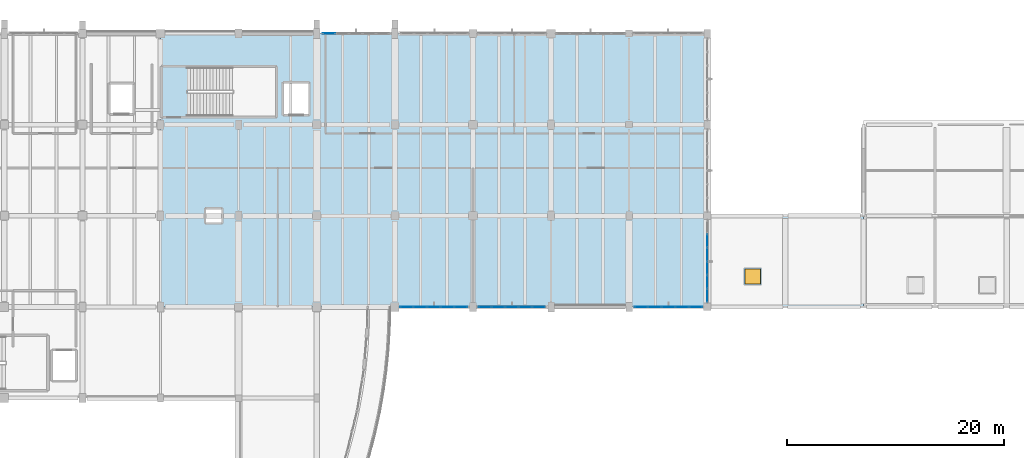
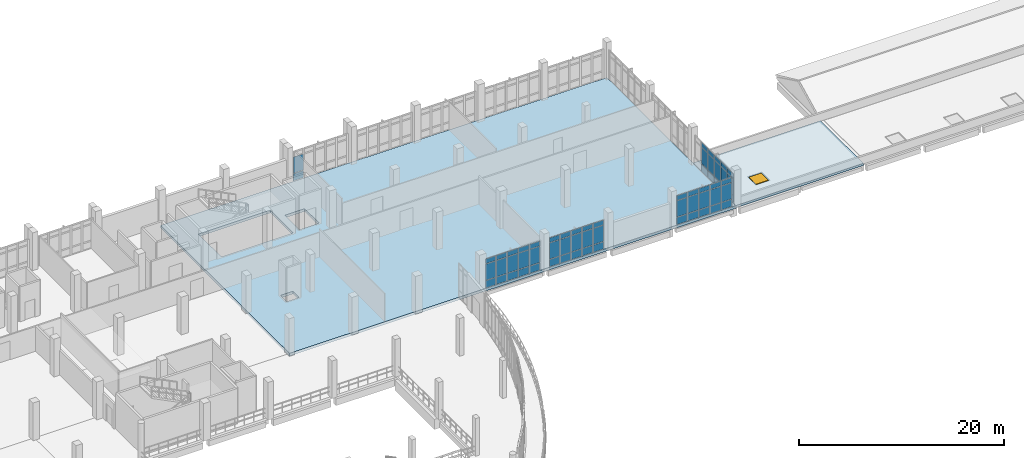
# One storey, part 101 of 124: 62 plates, 2 slabs, 1 window, 1 opening, 5 elements without a shape of their own.
"""IFC4 building model written with IfcOpenShell, lengths in metres."""

import ifcopenshell
import ifcopenshell.guid

model = None  # the IFC model being written
_history = None  # IfcOwnerHistory: only IFC2X3 demands one
_inside = {}  # id of a spatial element -> (the spatial element, [elements in it])
_under = {}  # id of a project, library or spatial element -> (it, [spatial elements below it])
_declared = {}  # id of a project -> (the project, [libraries it declares])
_typed = {}  # id of a type object -> (the type object, [elements of that type])
_made_of = {}  # id of a material, layer set ... -> (it, [elements and type objects made of it])


def new_model(schema):
    """Start an empty IFC model of exactly this schema.

    Asked for "IFC4X3", IfcOpenShell would pick the latest addendum, in which some entities
    have other attributes; the version numbers below select the first issue.
    IFC2X3 requires an IfcOwnerHistory on every rooted entity: one is made here for all.
    """
    global model, _history
    if schema == "IFC4X3":
        model = ifcopenshell.file(schema_version=(4, 3, 0, 0))
    else:
        model = ifcopenshell.file(schema=schema)
    _inside.clear()
    _under.clear()
    _declared.clear()
    _typed.clear()
    _made_of.clear()
    _history = None
    if model.schema == "IFC2X3":
        org = make("IfcOrganization", Name="unknown")
        user = make(
            "IfcPersonAndOrganization",
            ThePerson=make("IfcPerson", FamilyName="unknown"),
            TheOrganization=org,
        )
        app = make(
            "IfcApplication",
            ApplicationDeveloper=org,
            Version="unknown",
            ApplicationFullName="unknown",
            ApplicationIdentifier="unknown",
        )
        _history = make(
            "IfcOwnerHistory",
            OwningUser=user,
            OwningApplication=app,
            ChangeAction="ADDED",
            CreationDate=0,
        )
    return model


def make(cls, **values):
    """One entity of the class cls with the attributes given. An attribute that is None is left unset."""
    return model.create_entity(
        cls, **{name: value for name, value in values.items() if value is not None}
    )


def rooted(cls, **values):
    """An entity with a GlobalId (a new one), such as an element, a storey or a relation."""
    return make(cls, GlobalId=ifcopenshell.guid.new(), OwnerHistory=_history, **values)


def si_unit(unit_type, name, prefix=None):
    """IfcSIUnit, for example si_unit("LENGTHUNIT", "METRE", prefix="MILLI")."""
    return make("IfcSIUnit", UnitType=unit_type, Prefix=prefix, Name=name)


def assignment(units):
    """IfcUnitAssignment: the units of a project."""
    return None if units is None else make("IfcUnitAssignment", Units=units)


def point(xyz):
    """IfcCartesianPoint."""
    return None if xyz is None else make("IfcCartesianPoint", Coordinates=xyz)


def direction(xyz):
    """IfcDirection."""
    return None if xyz is None else make("IfcDirection", DirectionRatios=xyz)


def frame(location, z_axis=None, x_axis=None):
    """IfcAxis2Placement3D, a coordinate frame: its origin and axes. An axis left out is left unset."""
    return make(
        "IfcAxis2Placement3D",
        Location=point(location),
        Axis=direction(z_axis),
        RefDirection=direction(x_axis),
    )


def frame_2d(location, x_axis=None):
    """IfcAxis2Placement2D, a coordinate frame in the plane: its origin and x axis."""
    return make(
        "IfcAxis2Placement2D", Location=point(location), RefDirection=direction(x_axis)
    )


def origin():
    """The frame at (0, 0, 0) with its axes left unset."""
    return frame((0.0, 0.0, 0.0))


def origin_2d():
    """The frame at (0, 0) in the plane with its x axis left unset."""
    return frame_2d((0.0, 0.0))


def place(relative_to, where):
    """IfcLocalPlacement: puts the frame where relative to a parent placement (None: the world)."""
    return make(
        "IfcLocalPlacement", PlacementRelTo=relative_to, RelativePlacement=where
    )


def context(
    kind, dimensions, precision=None, world=None, true_north=None, identifier=None
):
    """IfcGeometricRepresentationContext, for example the 3D "Model" context."""
    return make(
        "IfcGeometricRepresentationContext",
        ContextIdentifier=identifier,
        ContextType=kind,
        CoordinateSpaceDimension=dimensions,
        Precision=precision,
        WorldCoordinateSystem=world,
        TrueNorth=true_north,
    )


def subcontext(parent, identifier, kind, view, scale=None):
    """IfcGeometricRepresentationSubContext, for example "Body" below "Model"."""
    return make(
        "IfcGeometricRepresentationSubContext",
        ContextIdentifier=identifier,
        ContextType=kind,
        ParentContext=parent,
        TargetScale=scale,
        TargetView=view,
    )


def project(units=None, contexts=None):
    """IfcProject with its units and contexts."""
    return rooted(
        "IfcProject",
        Name="project",
        RepresentationContexts=contexts,
        UnitsInContext=assignment(units),
    )


def spatial(cls, under=None, at=None, **own):
    """A site, building, storey or space (cls), placed at a placement, below another one or the project."""
    s = rooted(cls, ObjectPlacement=at, **own)
    if under is not None:
        _under.setdefault(under.id(), (under, []))[1].append(s)
    return s


def polyline(points):
    """IfcPolyline through the points."""
    return make("IfcPolyline", Points=[point(p) for p in points])


def profile(cls, at=None, kind="AREA", **sizes):
    """A parametric profile (cls). Its sizes go by their IFC names, for example OverallWidth=200.0."""
    return make(cls, ProfileType=kind, Position=at, **sizes)


def rectangle(**sizes):
    """IfcRectangleProfileDef."""
    return profile("IfcRectangleProfileDef", **sizes)


def outline(outer, holes=None, kind="AREA"):
    """IfcArbitraryClosedProfileDef: a profile drawn as a closed curve; with holes, ...WithVoids."""
    if holes is None:
        return make("IfcArbitraryClosedProfileDef", ProfileType=kind, OuterCurve=outer)
    return make(
        "IfcArbitraryProfileDefWithVoids",
        ProfileType=kind,
        OuterCurve=outer,
        InnerCurves=holes,
    )


def extrude(swept, where, along, depth):
    """IfcExtrudedAreaSolid: the profile swept, set in the frame where, extruded along a direction by depth."""
    return make(
        "IfcExtrudedAreaSolid",
        SweptArea=swept,
        Position=where,
        ExtrudedDirection=direction(along),
        Depth=depth,
    )


def shape(context_of_items, identifier, shape_type, items):
    """IfcShapeRepresentation: the items that make up one representation, for example the "Body"."""
    return make(
        "IfcShapeRepresentation",
        ContextOfItems=context_of_items,
        RepresentationIdentifier=identifier,
        RepresentationType=shape_type,
        Items=items,
    )


def material(Name=None, Category=None):
    """IfcMaterial."""
    return make("IfcMaterial", Name=Name, Category=Category)


def layer(
    of_material, thickness, ventilated=None, Name=None, Category=None, Priority=None
):
    """IfcMaterialLayer: one layer of a wall or slab, of a material (None: an air gap)."""
    return make(
        "IfcMaterialLayer",
        Material=of_material,
        LayerThickness=thickness,
        IsVentilated=ventilated,
        Name=Name,
        Category=Category,
        Priority=Priority,
    )


def layer_set(layers, Name=None):
    """IfcMaterialLayerSet."""
    return make("IfcMaterialLayerSet", MaterialLayers=layers, LayerSetName=Name)


def made_of(thing, what):
    """Note that an element or type object is made of a material, layer set ...; save() writes the relation."""
    if what is not None:
        _made_of.setdefault(what.id(), (what, []))[1].append(thing)
    return thing


def type_object(cls, material=None, **own):
    """A type object (cls), such as IfcWallType, which elements share."""
    return made_of(rooted(cls, **own), material)


def element(
    cls,
    number,
    at=None,
    inside=None,
    cuts=None,
    type_object=None,
    material=None,
    context=None,
    identifier="Body",
    shape_type=None,
    held_by="IfcProductDefinitionShape",
    body=None,
    shapes=None,
    **own,
):
    """One element of the class cls, such as IfcWall. Its Tag is "e" and its number.

    at: its placement. inside: the storey or other place that contains it. cuts: it is an
    opening in that element (IfcRelVoidsElement). A single representation is given by context,
    identifier, shape_type and body (its items); several are given by shapes. held_by: the class
    of the entity that holds the representations. save() writes the other relations.
    """
    e = rooted(cls, Tag="e%d" % number, ObjectPlacement=at, **own)
    if body is not None:
        shapes = [shape(context, identifier, shape_type, body)]
    if shapes is not None:
        e.Representation = make(held_by, Representations=shapes)
    if inside is not None:
        _inside.setdefault(inside.id(), (inside, []))[1].append(e)
    if cuts is not None:
        rooted(
            "IfcRelVoidsElement", RelatingBuildingElement=cuts, RelatedOpeningElement=e
        )
    if type_object is not None:
        _typed.setdefault(type_object.id(), (type_object, []))[1].append(e)
    return made_of(e, material)


def fill(opening, filler):
    """IfcRelFillsElement: the door or window that sits in an opening."""
    return rooted(
        "IfcRelFillsElement",
        RelatingOpeningElement=opening,
        RelatedBuildingElement=filler,
    )


def aggregate(whole, parts):
    """IfcRelAggregates: a whole, such as a stair, and the parts it consists of."""
    return rooted("IfcRelAggregates", RelatingObject=whole, RelatedObjects=parts)


def save(model, path):
    """Write the relations noted so far, then the file.

    IfcRelAggregates (storeys below a building ...), IfcRelContainedInSpatialStructure (elements
    in a storey), IfcRelDefinesByType, IfcRelAssociatesMaterial and IfcRelDeclares: one each for
    every whole, place, type object, material and project.
    """
    for whole, parts in _under.values():
        aggregate(whole, parts)
    for where, things in _inside.values():
        rooted(
            "IfcRelContainedInSpatialStructure",
            RelatedElements=things,
            RelatingStructure=where,
        )
    for kind, things in _typed.values():
        rooted("IfcRelDefinesByType", RelatedObjects=things, RelatingType=kind)
    for what, things in _made_of.values():
        rooted("IfcRelAssociatesMaterial", RelatedObjects=things, RelatingMaterial=what)
    for by, libraries in _declared.values():
        rooted("IfcRelDeclares", RelatingContext=by, RelatedDefinitions=libraries)
    model.write(path)


model = new_model("IFC4")

# Units and contexts
model_context = context("Model", 3, precision=1e-05, world=origin(), true_north=direction((0.0, 1.0)))
body_context = subcontext(model_context, "Body", "Model", "MODEL_VIEW")
ifc_project = project(units=[si_unit("LENGTHUNIT", "METRE"), si_unit("AREAUNIT", "SQUARE_METRE"), si_unit("VOLUMEUNIT", "CUBIC_METRE"), si_unit("PLANEANGLEUNIT", "RADIAN"), si_unit("MASSUNIT", "GRAM", prefix="KILO")], contexts=[model_context])

# Site, building, storey
site_placement = place(None, origin())
site = spatial("IfcSite", under=ifc_project, at=site_placement, CompositionType="ELEMENT")
building_placement = place(site_placement, origin())
building = spatial("IfcBuilding", under=site, at=building_placement, Name="Kalluvel Institute of Natural Sciences", CompositionType="ELEMENT")
storey_placement = place(building_placement, frame((0.0, 0.0, 9.89990234375)))
storey = spatial("IfcBuildingStorey", under=building, at=storey_placement, Name="L02", CompositionType="ELEMENT", Elevation=9.89990234375)

# Curtain wall, plates
ifc_material_1 = material(Name="Aluminium AW-6063 T6", Category="aluminium")
curtain_wall_type = type_object("IfcCurtainWallType", Name="CW-WET-45", PredefinedType="USERDEFINED", material=ifc_material_1)
curtain_wall_1_placement = place(storey_placement, origin())
curtain_wall_1 = element("IfcCurtainWall", 1, at=curtain_wall_1_placement, inside=storey, type_object=curtain_wall_type, Name="L02 Gothic lancet curtain wall CWA-L02-X793-Y1280", ObjectType="UNITISED LANCET FACADE", PredefinedType="USERDEFINED")
ifc_material_2 = material(Name="Solar-Control Low-E Laminated Glass", Category="glass")
ifc_layer_1 = layer(ifc_material_2, 0.0400390625)
ifc_layer_set_1 = layer_set([ifc_layer_1], Name="Solar-Control Low-E Laminated Glass")
plate_type = type_object("IfcPlateType", Name="CWP-SPN-40", PredefinedType="CURTAIN_PANEL", material=ifc_layer_set_1)
plate_1_placement = place(storey_placement, frame((79.9375, 128.0, 0.0703125), z_axis=(0.0, 0.0, 1.0), x_axis=(1.0, 0.0, 0.0)))
plate_1 = element("IfcPlate", 2, at=plate_1_placement, type_object=plate_type, Name="CW-01 panel 1.1", PredefinedType="CURTAIN_PANEL", context=body_context, shape_type="SweptSolid", body=[
    extrude(rectangle(XDim=1.135009765625, YDim=0.0400390625, at=origin_2d()), origin(), (0.0, 0.0, 1.0), 0.844970703125),
])
plate_2_placement = place(storey_placement, frame((79.9375, 128.0, 0.9853515625), z_axis=(0.0, 0.0, 1.0), x_axis=(1.0, 0.0, 0.0)))
plate_2 = element("IfcPlate", 3, at=plate_2_placement, type_object=plate_type, Name="CW-01 panel 1.2", PredefinedType="CURTAIN_PANEL", context=body_context, shape_type="SweptSolid", body=[
    extrude(rectangle(XDim=1.135009765625, YDim=0.0400390625, at=origin_2d()), origin(), (0.0, 0.0, 1.0), 1.909912109375),
])
aggregate(curtain_wall_1, [plate_1, plate_2])

curtain_wall_2_placement = place(storey_placement, origin())
curtain_wall_2 = element("IfcCurtainWall", 4, at=curtain_wall_2_placement, inside=storey, type_object=curtain_wall_type, Name="L02 Gothic lancet curtain wall CWA-L02-X864-Y1028", ObjectType="UNITISED LANCET FACADE", PredefinedType="USERDEFINED")
plate_3_placement = place(storey_placement, frame((87.094970703125, 102.800048828125, 0.0703125), z_axis=(0.0, 0.0, 1.0), x_axis=(1.0, 0.0, 0.0)))
plate_3 = element("IfcPlate", 5, at=plate_3_placement, type_object=plate_type, Name="CW-01 panel 1.1", PredefinedType="CURTAIN_PANEL", context=body_context, shape_type="SweptSolid", body=[
    extrude(rectangle(XDim=1.14990234375, YDim=0.0400390625, at=origin_2d()), origin(), (0.0, 0.0, 1.0), 0.844970703125),
])
plate_4_placement = place(storey_placement, frame((87.094970703125, 102.800048828125, 0.9853515625), z_axis=(0.0, 0.0, 1.0), x_axis=(1.0, 0.0, 0.0)))
plate_4 = element("IfcPlate", 6, at=plate_4_placement, type_object=plate_type, Name="CW-01 panel 1.2", PredefinedType="CURTAIN_PANEL", context=body_context, shape_type="SweptSolid", body=[
    extrude(rectangle(XDim=1.14990234375, YDim=0.0400390625, at=origin_2d()), origin(), (0.0, 0.0, 1.0), 1.909912109375),
])
plate_5_placement = place(storey_placement, frame((87.094970703125, 102.800048828125, 2.965087890625), z_axis=(0.0, 0.0, 1.0), x_axis=(1.0, 0.0, 0.0)))
plate_5 = element("IfcPlate", 7, at=plate_5_placement, type_object=plate_type, Name="CW-01 panel 1.3", PredefinedType="CURTAIN_PANEL", context=body_context, shape_type="SweptSolid", body=[
    extrude(rectangle(XDim=1.14990234375, YDim=0.0400390625, at=origin_2d()), origin(), (0.0, 0.0, 1.0), 0.544921875),
])
plate_6_placement = place(storey_placement, frame((88.33251953125, 102.800048828125, 0.0703125), z_axis=(0.0, 0.0, 1.0), x_axis=(1.0, 0.0, 0.0)))
plate_6 = element("IfcPlate", 8, at=plate_6_placement, type_object=plate_type, Name="CW-01 panel 2.1", PredefinedType="CURTAIN_PANEL", context=body_context, shape_type="SweptSolid", body=[
    extrude(rectangle(XDim=1.18505859375, YDim=0.0400390625, at=origin_2d()), origin(), (0.0, 0.0, 1.0), 0.844970703125),
])
plate_7_placement = place(storey_placement, frame((88.33251953125, 102.800048828125, 0.9853515625), z_axis=(0.0, 0.0, 1.0), x_axis=(1.0, 0.0, 0.0)))
plate_7 = element("IfcPlate", 9, at=plate_7_placement, type_object=plate_type, Name="CW-01 panel 2.2", PredefinedType="CURTAIN_PANEL", context=body_context, shape_type="SweptSolid", body=[
    extrude(rectangle(XDim=1.18505859375, YDim=0.0400390625, at=origin_2d()), origin(), (0.0, 0.0, 1.0), 1.909912109375),
])
plate_8_placement = place(storey_placement, frame((88.33251953125, 102.800048828125, 2.965087890625), z_axis=(0.0, 0.0, 1.0), x_axis=(1.0, 0.0, 0.0)))
plate_8 = element("IfcPlate", 10, at=plate_8_placement, type_object=plate_type, Name="CW-01 panel 2.3", PredefinedType="CURTAIN_PANEL", context=body_context, shape_type="SweptSolid", body=[
    extrude(rectangle(XDim=1.18505859375, YDim=0.0400390625, at=origin_2d()), origin(), (0.0, 0.0, 1.0), 0.544921875),
])
plate_9_placement = place(storey_placement, frame((89.58740234375, 102.800048828125, 0.0703125), z_axis=(0.0, 0.0, 1.0), x_axis=(1.0, 0.0, 0.0)))
plate_9 = element("IfcPlate", 11, at=plate_9_placement, type_object=plate_type, Name="CW-01 panel 3.1", PredefinedType="CURTAIN_PANEL", context=body_context, shape_type="SweptSolid", body=[
    extrude(rectangle(XDim=1.18505859375, YDim=0.0400390625, at=origin_2d()), origin(), (0.0, 0.0, 1.0), 0.844970703125),
])
plate_10_placement = place(storey_placement, frame((89.58740234375, 102.800048828125, 0.9853515625), z_axis=(0.0, 0.0, 1.0), x_axis=(1.0, 0.0, 0.0)))
plate_10 = element("IfcPlate", 12, at=plate_10_placement, type_object=plate_type, Name="CW-01 panel 3.2", PredefinedType="CURTAIN_PANEL", context=body_context, shape_type="SweptSolid", body=[
    extrude(rectangle(XDim=1.18505859375, YDim=0.0400390625, at=origin_2d()), origin(), (0.0, 0.0, 1.0), 1.909912109375),
])
plate_11_placement = place(storey_placement, frame((89.58740234375, 102.800048828125, 2.965087890625), z_axis=(0.0, 0.0, 1.0), x_axis=(1.0, 0.0, 0.0)))
plate_11 = element("IfcPlate", 13, at=plate_11_placement, type_object=plate_type, Name="CW-01 panel 3.3", PredefinedType="CURTAIN_PANEL", context=body_context, shape_type="SweptSolid", body=[
    extrude(rectangle(XDim=1.18505859375, YDim=0.0400390625, at=origin_2d()), origin(), (0.0, 0.0, 1.0), 0.544921875),
])
plate_12_placement = place(storey_placement, frame((90.842529296875, 102.800048828125, 0.0703125), z_axis=(0.0, 0.0, 1.0), x_axis=(1.0, 0.0, 0.0)))
plate_12 = element("IfcPlate", 14, at=plate_12_placement, type_object=plate_type, Name="CW-01 panel 4.1", PredefinedType="CURTAIN_PANEL", context=body_context, shape_type="SweptSolid", body=[
    extrude(rectangle(XDim=1.18505859375, YDim=0.0400390625, at=origin_2d()), origin(), (0.0, 0.0, 1.0), 0.844970703125),
])
plate_13_placement = place(storey_placement, frame((90.842529296875, 102.800048828125, 0.9853515625), z_axis=(0.0, 0.0, 1.0), x_axis=(1.0, 0.0, 0.0)))
plate_13 = element("IfcPlate", 15, at=plate_13_placement, type_object=plate_type, Name="CW-01 panel 4.2", PredefinedType="CURTAIN_PANEL", context=body_context, shape_type="SweptSolid", body=[
    extrude(rectangle(XDim=1.18505859375, YDim=0.0400390625, at=origin_2d()), origin(), (0.0, 0.0, 1.0), 1.909912109375),
])
plate_14_placement = place(storey_placement, frame((90.842529296875, 102.800048828125, 2.965087890625), z_axis=(0.0, 0.0, 1.0), x_axis=(1.0, 0.0, 0.0)))
plate_14 = element("IfcPlate", 16, at=plate_14_placement, type_object=plate_type, Name="CW-01 panel 4.3", PredefinedType="CURTAIN_PANEL", context=body_context, shape_type="SweptSolid", body=[
    extrude(rectangle(XDim=1.18505859375, YDim=0.0400390625, at=origin_2d()), origin(), (0.0, 0.0, 1.0), 0.544921875),
])
plate_15_placement = place(storey_placement, frame((92.080078125, 102.800048828125, 0.0703125), z_axis=(0.0, 0.0, 1.0), x_axis=(1.0, 0.0, 0.0)))
plate_15 = element("IfcPlate", 17, at=plate_15_placement, type_object=plate_type, Name="CW-01 panel 5.1", PredefinedType="CURTAIN_PANEL", context=body_context, shape_type="SweptSolid", body=[
    extrude(rectangle(XDim=1.14990234375, YDim=0.0400390625, at=origin_2d()), origin(), (0.0, 0.0, 1.0), 0.844970703125),
])
plate_16_placement = place(storey_placement, frame((92.080078125, 102.800048828125, 0.9853515625), z_axis=(0.0, 0.0, 1.0), x_axis=(1.0, 0.0, 0.0)))
plate_16 = element("IfcPlate", 18, at=plate_16_placement, type_object=plate_type, Name="CW-01 panel 5.2", PredefinedType="CURTAIN_PANEL", context=body_context, shape_type="SweptSolid", body=[
    extrude(rectangle(XDim=1.14990234375, YDim=0.0400390625, at=origin_2d()), origin(), (0.0, 0.0, 1.0), 1.909912109375),
])
plate_17_placement = place(storey_placement, frame((92.080078125, 102.800048828125, 2.965087890625), z_axis=(0.0, 0.0, 1.0), x_axis=(1.0, 0.0, 0.0)))
plate_17 = element("IfcPlate", 19, at=plate_17_placement, type_object=plate_type, Name="CW-01 panel 5.3", PredefinedType="CURTAIN_PANEL", context=body_context, shape_type="SweptSolid", body=[
    extrude(rectangle(XDim=1.14990234375, YDim=0.0400390625, at=origin_2d()), origin(), (0.0, 0.0, 1.0), 0.544921875),
])
aggregate(curtain_wall_2, [plate_3, plate_4, plate_5, plate_6, plate_7, plate_8, plate_9, plate_10, plate_11, plate_12, plate_13, plate_14, plate_15, plate_16, plate_17])

curtain_wall_3_placement = place(storey_placement, origin())
curtain_wall_3 = element("IfcCurtainWall", 20, at=curtain_wall_3_placement, inside=storey, type_object=curtain_wall_type, Name="L02 Gothic lancet curtain wall CWA-L02-X937-Y1028", ObjectType="UNITISED LANCET FACADE", PredefinedType="USERDEFINED")
plate_18_placement = place(storey_placement, frame((94.31494140625, 102.800048828125, 0.0703125), z_axis=(0.0, 0.0, 1.0), x_axis=(1.0, 0.0, 0.0)))
plate_18 = element("IfcPlate", 21, at=plate_18_placement, type_object=plate_type, Name="CW-01 panel 1.1", PredefinedType="CURTAIN_PANEL", context=body_context, shape_type="SweptSolid", body=[
    extrude(rectangle(XDim=1.139892578125, YDim=0.0400390625, at=origin_2d()), origin(), (0.0, 0.0, 1.0), 0.844970703125),
])
plate_19_placement = place(storey_placement, frame((94.31494140625, 102.800048828125, 0.9853515625), z_axis=(0.0, 0.0, 1.0), x_axis=(1.0, 0.0, 0.0)))
plate_19 = element("IfcPlate", 22, at=plate_19_placement, type_object=plate_type, Name="CW-01 panel 1.2", PredefinedType="CURTAIN_PANEL", context=body_context, shape_type="SweptSolid", body=[
    extrude(rectangle(XDim=1.139892578125, YDim=0.0400390625, at=origin_2d()), origin(), (0.0, 0.0, 1.0), 1.909912109375),
])
plate_20_placement = place(storey_placement, frame((94.31494140625, 102.800048828125, 2.965087890625), z_axis=(0.0, 0.0, 1.0), x_axis=(1.0, 0.0, 0.0)))
plate_20 = element("IfcPlate", 23, at=plate_20_placement, type_object=plate_type, Name="CW-01 panel 1.3", PredefinedType="CURTAIN_PANEL", context=body_context, shape_type="SweptSolid", body=[
    extrude(rectangle(XDim=1.139892578125, YDim=0.0400390625, at=origin_2d()), origin(), (0.0, 0.0, 1.0), 0.544921875),
])
plate_21_placement = place(storey_placement, frame((95.54248046875, 102.800048828125, 0.0703125), z_axis=(0.0, 0.0, 1.0), x_axis=(1.0, 0.0, 0.0)))
plate_21 = element("IfcPlate", 24, at=plate_21_placement, type_object=plate_type, Name="CW-01 panel 2.1", PredefinedType="CURTAIN_PANEL", context=body_context, shape_type="SweptSolid", body=[
    extrude(rectangle(XDim=1.175048828125, YDim=0.0400390625, at=origin_2d()), origin(), (0.0, 0.0, 1.0), 0.844970703125),
])
plate_22_placement = place(storey_placement, frame((95.54248046875, 102.800048828125, 0.9853515625), z_axis=(0.0, 0.0, 1.0), x_axis=(1.0, 0.0, 0.0)))
plate_22 = element("IfcPlate", 25, at=plate_22_placement, type_object=plate_type, Name="CW-01 panel 2.2", PredefinedType="CURTAIN_PANEL", context=body_context, shape_type="SweptSolid", body=[
    extrude(rectangle(XDim=1.175048828125, YDim=0.0400390625, at=origin_2d()), origin(), (0.0, 0.0, 1.0), 1.909912109375),
])
plate_23_placement = place(storey_placement, frame((95.54248046875, 102.800048828125, 2.965087890625), z_axis=(0.0, 0.0, 1.0), x_axis=(1.0, 0.0, 0.0)))
plate_23 = element("IfcPlate", 26, at=plate_23_placement, type_object=plate_type, Name="CW-01 panel 2.3", PredefinedType="CURTAIN_PANEL", context=body_context, shape_type="SweptSolid", body=[
    extrude(rectangle(XDim=1.175048828125, YDim=0.0400390625, at=origin_2d()), origin(), (0.0, 0.0, 1.0), 0.544921875),
])
plate_24_placement = place(storey_placement, frame((96.78759765625, 102.800048828125, 0.0703125), z_axis=(0.0, 0.0, 1.0), x_axis=(1.0, 0.0, 0.0)))
plate_24 = element("IfcPlate", 27, at=plate_24_placement, type_object=plate_type, Name="CW-01 panel 3.1", PredefinedType="CURTAIN_PANEL", context=body_context, shape_type="SweptSolid", body=[
    extrude(rectangle(XDim=1.175048828125, YDim=0.0400390625, at=origin_2d()), origin(), (0.0, 0.0, 1.0), 0.844970703125),
])
plate_25_placement = place(storey_placement, frame((96.78759765625, 102.800048828125, 0.9853515625), z_axis=(0.0, 0.0, 1.0), x_axis=(1.0, 0.0, 0.0)))
plate_25 = element("IfcPlate", 28, at=plate_25_placement, type_object=plate_type, Name="CW-01 panel 3.2", PredefinedType="CURTAIN_PANEL", context=body_context, shape_type="SweptSolid", body=[
    extrude(rectangle(XDim=1.175048828125, YDim=0.0400390625, at=origin_2d()), origin(), (0.0, 0.0, 1.0), 1.909912109375),
])
plate_26_placement = place(storey_placement, frame((96.78759765625, 102.800048828125, 2.965087890625), z_axis=(0.0, 0.0, 1.0), x_axis=(1.0, 0.0, 0.0)))
plate_26 = element("IfcPlate", 29, at=plate_26_placement, type_object=plate_type, Name="CW-01 panel 3.3", PredefinedType="CURTAIN_PANEL", context=body_context, shape_type="SweptSolid", body=[
    extrude(rectangle(XDim=1.175048828125, YDim=0.0400390625, at=origin_2d()), origin(), (0.0, 0.0, 1.0), 0.544921875),
])
plate_27_placement = place(storey_placement, frame((98.032470703125, 102.800048828125, 0.0703125), z_axis=(0.0, 0.0, 1.0), x_axis=(1.0, 0.0, 0.0)))
plate_27 = element("IfcPlate", 30, at=plate_27_placement, type_object=plate_type, Name="CW-01 panel 4.1", PredefinedType="CURTAIN_PANEL", context=body_context, shape_type="SweptSolid", body=[
    extrude(rectangle(XDim=1.175048828125, YDim=0.0400390625, at=origin_2d()), origin(), (0.0, 0.0, 1.0), 0.844970703125),
])
plate_28_placement = place(storey_placement, frame((98.032470703125, 102.800048828125, 0.9853515625), z_axis=(0.0, 0.0, 1.0), x_axis=(1.0, 0.0, 0.0)))
plate_28 = element("IfcPlate", 31, at=plate_28_placement, type_object=plate_type, Name="CW-01 panel 4.2", PredefinedType="CURTAIN_PANEL", context=body_context, shape_type="SweptSolid", body=[
    extrude(rectangle(XDim=1.175048828125, YDim=0.0400390625, at=origin_2d()), origin(), (0.0, 0.0, 1.0), 1.909912109375),
])
plate_29_placement = place(storey_placement, frame((98.032470703125, 102.800048828125, 2.965087890625), z_axis=(0.0, 0.0, 1.0), x_axis=(1.0, 0.0, 0.0)))
plate_29 = element("IfcPlate", 32, at=plate_29_placement, type_object=plate_type, Name="CW-01 panel 4.3", PredefinedType="CURTAIN_PANEL", context=body_context, shape_type="SweptSolid", body=[
    extrude(rectangle(XDim=1.175048828125, YDim=0.0400390625, at=origin_2d()), origin(), (0.0, 0.0, 1.0), 0.544921875),
])
plate_30_placement = place(storey_placement, frame((99.260009765625, 102.800048828125, 0.0703125), z_axis=(0.0, 0.0, 1.0), x_axis=(1.0, 0.0, 0.0)))
plate_30 = element("IfcPlate", 33, at=plate_30_placement, type_object=plate_type, Name="CW-01 panel 5.1", PredefinedType="CURTAIN_PANEL", context=body_context, shape_type="SweptSolid", body=[
    extrude(rectangle(XDim=1.139892578125, YDim=0.0400390625, at=origin_2d()), origin(), (0.0, 0.0, 1.0), 0.844970703125),
])
plate_31_placement = place(storey_placement, frame((99.260009765625, 102.800048828125, 0.9853515625), z_axis=(0.0, 0.0, 1.0), x_axis=(1.0, 0.0, 0.0)))
plate_31 = element("IfcPlate", 34, at=plate_31_placement, type_object=plate_type, Name="CW-01 panel 5.2", PredefinedType="CURTAIN_PANEL", context=body_context, shape_type="SweptSolid", body=[
    extrude(rectangle(XDim=1.139892578125, YDim=0.0400390625, at=origin_2d()), origin(), (0.0, 0.0, 1.0), 1.909912109375),
])
plate_32_placement = place(storey_placement, frame((99.260009765625, 102.800048828125, 2.965087890625), z_axis=(0.0, 0.0, 1.0), x_axis=(1.0, 0.0, 0.0)))
plate_32 = element("IfcPlate", 35, at=plate_32_placement, type_object=plate_type, Name="CW-01 panel 5.3", PredefinedType="CURTAIN_PANEL", context=body_context, shape_type="SweptSolid", body=[
    extrude(rectangle(XDim=1.139892578125, YDim=0.0400390625, at=origin_2d()), origin(), (0.0, 0.0, 1.0), 0.544921875),
])
aggregate(curtain_wall_3, [plate_18, plate_19, plate_20, plate_21, plate_22, plate_23, plate_24, plate_25, plate_26, plate_27, plate_28, plate_29, plate_30, plate_31, plate_32])

curtain_wall_4_placement = place(storey_placement, origin())
curtain_wall_4 = element("IfcCurtainWall", 36, at=curtain_wall_4_placement, inside=storey, type_object=curtain_wall_type, Name="L02 Gothic lancet curtain wall CWA-L02-X1080-Y1028", ObjectType="UNITISED LANCET FACADE", PredefinedType="USERDEFINED")
plate_33_placement = place(storey_placement, frame((108.702392578125, 102.800048828125, 0.0703125), z_axis=(0.0, 0.0, 1.0), x_axis=(1.0, 0.0, 0.0)))
plate_33 = element("IfcPlate", 37, at=plate_33_placement, type_object=plate_type, Name="CW-01 panel 1.1", PredefinedType="CURTAIN_PANEL", context=body_context, shape_type="SweptSolid", body=[
    extrude(rectangle(XDim=1.1650390625, YDim=0.0400390625, at=origin_2d()), origin(), (0.0, 0.0, 1.0), 0.844970703125),
])
plate_34_placement = place(storey_placement, frame((108.702392578125, 102.800048828125, 0.9853515625), z_axis=(0.0, 0.0, 1.0), x_axis=(1.0, 0.0, 0.0)))
plate_34 = element("IfcPlate", 38, at=plate_34_placement, type_object=plate_type, Name="CW-01 panel 1.2", PredefinedType="CURTAIN_PANEL", context=body_context, shape_type="SweptSolid", body=[
    extrude(rectangle(XDim=1.1650390625, YDim=0.0400390625, at=origin_2d()), origin(), (0.0, 0.0, 1.0), 1.909912109375),
])
plate_35_placement = place(storey_placement, frame((108.702392578125, 102.800048828125, 2.965087890625), z_axis=(0.0, 0.0, 1.0), x_axis=(1.0, 0.0, 0.0)))
plate_35 = element("IfcPlate", 39, at=plate_35_placement, type_object=plate_type, Name="CW-01 panel 1.3", PredefinedType="CURTAIN_PANEL", context=body_context, shape_type="SweptSolid", body=[
    extrude(rectangle(XDim=1.1650390625, YDim=0.0400390625, at=origin_2d()), origin(), (0.0, 0.0, 1.0), 0.544921875),
])
plate_36_placement = place(storey_placement, frame((109.955078125, 102.800048828125, 0.0703125), z_axis=(0.0, 0.0, 1.0), x_axis=(1.0, 0.0, 0.0)))
plate_36 = element("IfcPlate", 40, at=plate_36_placement, type_object=plate_type, Name="CW-01 panel 2.1", PredefinedType="CURTAIN_PANEL", context=body_context, shape_type="SweptSolid", body=[
    extrude(rectangle(XDim=1.199951171875, YDim=0.0400390625, at=origin_2d()), origin(), (0.0, 0.0, 1.0), 0.844970703125),
])
plate_37_placement = place(storey_placement, frame((109.955078125, 102.800048828125, 0.9853515625), z_axis=(0.0, 0.0, 1.0), x_axis=(1.0, 0.0, 0.0)))
plate_37 = element("IfcPlate", 41, at=plate_37_placement, type_object=plate_type, Name="CW-01 panel 2.2", PredefinedType="CURTAIN_PANEL", context=body_context, shape_type="SweptSolid", body=[
    extrude(rectangle(XDim=1.199951171875, YDim=0.0400390625, at=origin_2d()), origin(), (0.0, 0.0, 1.0), 1.909912109375),
])
plate_38_placement = place(storey_placement, frame((109.955078125, 102.800048828125, 2.965087890625), z_axis=(0.0, 0.0, 1.0), x_axis=(1.0, 0.0, 0.0)))
plate_38 = element("IfcPlate", 42, at=plate_38_placement, type_object=plate_type, Name="CW-01 panel 2.3", PredefinedType="CURTAIN_PANEL", context=body_context, shape_type="SweptSolid", body=[
    extrude(rectangle(XDim=1.199951171875, YDim=0.0400390625, at=origin_2d()), origin(), (0.0, 0.0, 1.0), 0.544921875),
])
plate_39_placement = place(storey_placement, frame((111.22509765625, 102.800048828125, 0.0703125), z_axis=(0.0, 0.0, 1.0), x_axis=(1.0, 0.0, 0.0)))
plate_39 = element("IfcPlate", 43, at=plate_39_placement, type_object=plate_type, Name="CW-01 panel 3.1", PredefinedType="CURTAIN_PANEL", context=body_context, shape_type="SweptSolid", body=[
    extrude(rectangle(XDim=1.199951171875, YDim=0.0400390625, at=origin_2d()), origin(), (0.0, 0.0, 1.0), 0.844970703125),
])
plate_40_placement = place(storey_placement, frame((111.22509765625, 102.800048828125, 0.9853515625), z_axis=(0.0, 0.0, 1.0), x_axis=(1.0, 0.0, 0.0)))
plate_40 = element("IfcPlate", 44, at=plate_40_placement, type_object=plate_type, Name="CW-01 panel 3.2", PredefinedType="CURTAIN_PANEL", context=body_context, shape_type="SweptSolid", body=[
    extrude(rectangle(XDim=1.199951171875, YDim=0.0400390625, at=origin_2d()), origin(), (0.0, 0.0, 1.0), 1.909912109375),
])
plate_41_placement = place(storey_placement, frame((111.22509765625, 102.800048828125, 2.965087890625), z_axis=(0.0, 0.0, 1.0), x_axis=(1.0, 0.0, 0.0)))
plate_41 = element("IfcPlate", 45, at=plate_41_placement, type_object=plate_type, Name="CW-01 panel 3.3", PredefinedType="CURTAIN_PANEL", context=body_context, shape_type="SweptSolid", body=[
    extrude(rectangle(XDim=1.199951171875, YDim=0.0400390625, at=origin_2d()), origin(), (0.0, 0.0, 1.0), 0.544921875),
])
plate_42_placement = place(storey_placement, frame((112.4951171875, 102.800048828125, 0.0703125), z_axis=(0.0, 0.0, 1.0), x_axis=(1.0, 0.0, 0.0)))
plate_42 = element("IfcPlate", 46, at=plate_42_placement, type_object=plate_type, Name="CW-01 panel 4.1", PredefinedType="CURTAIN_PANEL", context=body_context, shape_type="SweptSolid", body=[
    extrude(rectangle(XDim=1.199951171875, YDim=0.0400390625, at=origin_2d()), origin(), (0.0, 0.0, 1.0), 0.844970703125),
])
plate_43_placement = place(storey_placement, frame((112.4951171875, 102.800048828125, 0.9853515625), z_axis=(0.0, 0.0, 1.0), x_axis=(1.0, 0.0, 0.0)))
plate_43 = element("IfcPlate", 47, at=plate_43_placement, type_object=plate_type, Name="CW-01 panel 4.2", PredefinedType="CURTAIN_PANEL", context=body_context, shape_type="SweptSolid", body=[
    extrude(rectangle(XDim=1.199951171875, YDim=0.0400390625, at=origin_2d()), origin(), (0.0, 0.0, 1.0), 1.909912109375),
])
plate_44_placement = place(storey_placement, frame((112.4951171875, 102.800048828125, 2.965087890625), z_axis=(0.0, 0.0, 1.0), x_axis=(1.0, 0.0, 0.0)))
plate_44 = element("IfcPlate", 48, at=plate_44_placement, type_object=plate_type, Name="CW-01 panel 4.3", PredefinedType="CURTAIN_PANEL", context=body_context, shape_type="SweptSolid", body=[
    extrude(rectangle(XDim=1.199951171875, YDim=0.0400390625, at=origin_2d()), origin(), (0.0, 0.0, 1.0), 0.544921875),
])
plate_45_placement = place(storey_placement, frame((113.74755859375, 102.800048828125, 0.0703125), z_axis=(0.0, 0.0, 1.0), x_axis=(1.0, 0.0, 0.0)))
plate_45 = element("IfcPlate", 49, at=plate_45_placement, type_object=plate_type, Name="CW-01 panel 5.1", PredefinedType="CURTAIN_PANEL", context=body_context, shape_type="SweptSolid", body=[
    extrude(rectangle(XDim=1.1650390625, YDim=0.0400390625, at=origin_2d()), origin(), (0.0, 0.0, 1.0), 0.844970703125),
])
plate_46_placement = place(storey_placement, frame((113.74755859375, 102.800048828125, 0.9853515625), z_axis=(0.0, 0.0, 1.0), x_axis=(1.0, 0.0, 0.0)))
plate_46 = element("IfcPlate", 50, at=plate_46_placement, type_object=plate_type, Name="CW-01 panel 5.2", PredefinedType="CURTAIN_PANEL", context=body_context, shape_type="SweptSolid", body=[
    extrude(rectangle(XDim=1.1650390625, YDim=0.0400390625, at=origin_2d()), origin(), (0.0, 0.0, 1.0), 1.909912109375),
])
plate_47_placement = place(storey_placement, frame((113.74755859375, 102.800048828125, 2.965087890625), z_axis=(0.0, 0.0, 1.0), x_axis=(1.0, 0.0, 0.0)))
plate_47 = element("IfcPlate", 51, at=plate_47_placement, type_object=plate_type, Name="CW-01 panel 5.3", PredefinedType="CURTAIN_PANEL", context=body_context, shape_type="SweptSolid", body=[
    extrude(rectangle(XDim=1.1650390625, YDim=0.0400390625, at=origin_2d()), origin(), (0.0, 0.0, 1.0), 0.544921875),
])
aggregate(curtain_wall_4, [plate_33, plate_34, plate_35, plate_36, plate_37, plate_38, plate_39, plate_40, plate_41, plate_42, plate_43, plate_44, plate_45, plate_46, plate_47])

curtain_wall_5_placement = place(storey_placement, origin())
curtain_wall_5 = element("IfcCurtainWall", 52, at=curtain_wall_5_placement, inside=storey, type_object=curtain_wall_type, Name="L02 Gothic lancet curtain wall CWA-L02-X1148-Y1032", ObjectType="UNITISED LANCET FACADE", PredefinedType="USERDEFINED")
plate_48_placement = place(storey_placement, frame((114.800048828125, 103.850830078125, 0.0703125), z_axis=(0.0, 0.0, 1.0), x_axis=(0.0, 1.0, 0.0)))
plate_48 = element("IfcPlate", 53, at=plate_48_placement, type_object=plate_type, Name="CW-01 panel 1.1", PredefinedType="CURTAIN_PANEL", context=body_context, shape_type="SweptSolid", body=[
    extrude(rectangle(XDim=1.16162109375, YDim=0.0400390625, at=origin_2d()), origin(), (0.0, 0.0, 1.0), 0.844970703125),
])
plate_49_placement = place(storey_placement, frame((114.800048828125, 103.850830078125, 0.9853515625), z_axis=(0.0, 0.0, 1.0), x_axis=(0.0, 1.0, 0.0)))
plate_49 = element("IfcPlate", 54, at=plate_49_placement, type_object=plate_type, Name="CW-01 panel 1.2", PredefinedType="CURTAIN_PANEL", context=body_context, shape_type="SweptSolid", body=[
    extrude(rectangle(XDim=1.16162109375, YDim=0.0400390625, at=origin_2d()), origin(), (0.0, 0.0, 1.0), 1.909912109375),
])
plate_50_placement = place(storey_placement, frame((114.800048828125, 103.850830078125, 2.965087890625), z_axis=(0.0, 0.0, 1.0), x_axis=(0.0, 1.0, 0.0)))
plate_50 = element("IfcPlate", 55, at=plate_50_placement, type_object=plate_type, Name="CW-01 panel 1.3", PredefinedType="CURTAIN_PANEL", context=body_context, shape_type="SweptSolid", body=[
    extrude(rectangle(XDim=1.16162109375, YDim=0.0400390625, at=origin_2d()), origin(), (0.0, 0.0, 1.0), 0.544921875),
])
plate_51_placement = place(storey_placement, frame((114.800048828125, 105.10009765625, 0.0703125), z_axis=(0.0, 0.0, 1.0), x_axis=(0.0, 1.0, 0.0)))
plate_51 = element("IfcPlate", 56, at=plate_51_placement, type_object=plate_type, Name="CW-01 panel 2.1", PredefinedType="CURTAIN_PANEL", context=body_context, shape_type="SweptSolid", body=[
    extrude(rectangle(XDim=1.19677734375, YDim=0.0400390625, at=origin_2d()), origin(), (0.0, 0.0, 1.0), 0.844970703125),
])
plate_52_placement = place(storey_placement, frame((114.800048828125, 105.10009765625, 0.9853515625), z_axis=(0.0, 0.0, 1.0), x_axis=(0.0, 1.0, 0.0)))
plate_52 = element("IfcPlate", 57, at=plate_52_placement, type_object=plate_type, Name="CW-01 panel 2.2", PredefinedType="CURTAIN_PANEL", context=body_context, shape_type="SweptSolid", body=[
    extrude(rectangle(XDim=1.19677734375, YDim=0.0400390625, at=origin_2d()), origin(), (0.0, 0.0, 1.0), 1.909912109375),
])
plate_53_placement = place(storey_placement, frame((114.800048828125, 105.10009765625, 2.965087890625), z_axis=(0.0, 0.0, 1.0), x_axis=(0.0, 1.0, 0.0)))
plate_53 = element("IfcPlate", 58, at=plate_53_placement, type_object=plate_type, Name="CW-01 panel 2.3", PredefinedType="CURTAIN_PANEL", context=body_context, shape_type="SweptSolid", body=[
    extrude(rectangle(XDim=1.19677734375, YDim=0.0400390625, at=origin_2d()), origin(), (0.0, 0.0, 1.0), 0.544921875),
])
plate_54_placement = place(storey_placement, frame((114.800048828125, 106.36669921875, 0.0703125), z_axis=(0.0, 0.0, 1.0), x_axis=(0.0, 1.0, 0.0)))
plate_54 = element("IfcPlate", 59, at=plate_54_placement, type_object=plate_type, Name="CW-01 panel 3.1", PredefinedType="CURTAIN_PANEL", context=body_context, shape_type="SweptSolid", body=[
    extrude(rectangle(XDim=1.19677734375, YDim=0.0400390625, at=origin_2d()), origin(), (0.0, 0.0, 1.0), 0.844970703125),
])
plate_55_placement = place(storey_placement, frame((114.800048828125, 106.36669921875, 0.9853515625), z_axis=(0.0, 0.0, 1.0), x_axis=(0.0, 1.0, 0.0)))
plate_55 = element("IfcPlate", 60, at=plate_55_placement, type_object=plate_type, Name="CW-01 panel 3.2", PredefinedType="CURTAIN_PANEL", context=body_context, shape_type="SweptSolid", body=[
    extrude(rectangle(XDim=1.19677734375, YDim=0.0400390625, at=origin_2d()), origin(), (0.0, 0.0, 1.0), 1.909912109375),
])
plate_56_placement = place(storey_placement, frame((114.800048828125, 106.36669921875, 2.965087890625), z_axis=(0.0, 0.0, 1.0), x_axis=(0.0, 1.0, 0.0)))
plate_56 = element("IfcPlate", 61, at=plate_56_placement, type_object=plate_type, Name="CW-01 panel 3.3", PredefinedType="CURTAIN_PANEL", context=body_context, shape_type="SweptSolid", body=[
    extrude(rectangle(XDim=1.19677734375, YDim=0.0400390625, at=origin_2d()), origin(), (0.0, 0.0, 1.0), 0.544921875),
])
plate_57_placement = place(storey_placement, frame((114.800048828125, 107.63330078125, 0.0703125), z_axis=(0.0, 0.0, 1.0), x_axis=(0.0, 1.0, 0.0)))
plate_57 = element("IfcPlate", 62, at=plate_57_placement, type_object=plate_type, Name="CW-01 panel 4.1", PredefinedType="CURTAIN_PANEL", context=body_context, shape_type="SweptSolid", body=[
    extrude(rectangle(XDim=1.19677734375, YDim=0.0400390625, at=origin_2d()), origin(), (0.0, 0.0, 1.0), 0.844970703125),
])
plate_58_placement = place(storey_placement, frame((114.800048828125, 107.63330078125, 0.9853515625), z_axis=(0.0, 0.0, 1.0), x_axis=(0.0, 1.0, 0.0)))
plate_58 = element("IfcPlate", 63, at=plate_58_placement, type_object=plate_type, Name="CW-01 panel 4.2", PredefinedType="CURTAIN_PANEL", context=body_context, shape_type="SweptSolid", body=[
    extrude(rectangle(XDim=1.19677734375, YDim=0.0400390625, at=origin_2d()), origin(), (0.0, 0.0, 1.0), 1.909912109375),
])
plate_59_placement = place(storey_placement, frame((114.800048828125, 107.63330078125, 2.965087890625), z_axis=(0.0, 0.0, 1.0), x_axis=(0.0, 1.0, 0.0)))
plate_59 = element("IfcPlate", 64, at=plate_59_placement, type_object=plate_type, Name="CW-01 panel 4.3", PredefinedType="CURTAIN_PANEL", context=body_context, shape_type="SweptSolid", body=[
    extrude(rectangle(XDim=1.19677734375, YDim=0.0400390625, at=origin_2d()), origin(), (0.0, 0.0, 1.0), 0.544921875),
])
plate_60_placement = place(storey_placement, frame((114.800048828125, 108.89990234375, 0.0703125), z_axis=(0.0, 0.0, 1.0), x_axis=(0.0, 1.0, 0.0)))
plate_60 = element("IfcPlate", 65, at=plate_60_placement, type_object=plate_type, Name="CW-01 panel 5.1", PredefinedType="CURTAIN_PANEL", context=body_context, shape_type="SweptSolid", body=[
    extrude(rectangle(XDim=1.19677734375, YDim=0.0400390625, at=origin_2d()), origin(), (0.0, 0.0, 1.0), 0.844970703125),
])
plate_61_placement = place(storey_placement, frame((114.800048828125, 108.89990234375, 0.9853515625), z_axis=(0.0, 0.0, 1.0), x_axis=(0.0, 1.0, 0.0)))
plate_61 = element("IfcPlate", 66, at=plate_61_placement, type_object=plate_type, Name="CW-01 panel 5.2", PredefinedType="CURTAIN_PANEL", context=body_context, shape_type="SweptSolid", body=[
    extrude(rectangle(XDim=1.19677734375, YDim=0.0400390625, at=origin_2d()), origin(), (0.0, 0.0, 1.0), 1.909912109375),
])
plate_62_placement = place(storey_placement, frame((114.800048828125, 108.89990234375, 2.965087890625), z_axis=(0.0, 0.0, 1.0), x_axis=(0.0, 1.0, 0.0)))
plate_62 = element("IfcPlate", 67, at=plate_62_placement, type_object=plate_type, Name="CW-01 panel 5.3", PredefinedType="CURTAIN_PANEL", context=body_context, shape_type="SweptSolid", body=[
    extrude(rectangle(XDim=1.19677734375, YDim=0.0400390625, at=origin_2d()), origin(), (0.0, 0.0, 1.0), 0.544921875),
])
aggregate(curtain_wall_5, [plate_48, plate_49, plate_50, plate_51, plate_52, plate_53, plate_54, plate_55, plate_56, plate_57, plate_58, plate_59, plate_60, plate_61, plate_62])

# Slab, opening, window
ifc_material_3 = material(Name="Concrete M40", Category="concrete")
ifc_layer_2 = layer(ifc_material_3, 0.260009765625)
ifc_layer_set_2 = layer_set([ifc_layer_2], Name="Concrete M40")
slab_type_1 = type_object("IfcSlabType", Name="SLB-ROOF-260", PredefinedType="ROOF", material=ifc_layer_set_2)
slab_1_placement = place(storey_placement, frame((0.0, 0.0, -0.260009765625)))
slab_1 = element("IfcSlab", 68, at=slab_1_placement, inside=storey, type_object=slab_type_1, Name="Cleanroom Link Roof Slab", PredefinedType="ROOF", context=body_context, shape_type="SweptSolid", body=[
    extrude(outline(polyline([(114.800048828125, 102.800048828125), (129.199951171875, 102.800048828125), (129.199951171875, 111.199951171875), (114.800048828125, 111.199951171875), (114.800048828125, 102.800048828125)])), origin(), (0.0, 0.0, 1.0), 0.260009765625),
])
opening_placement = place(slab_1_placement, frame((119.0, 105.60009765625, 0.0)))
opening = element("IfcOpeningElement", 69, at=opening_placement, cuts=slab_1, Name="Opening SK-01", PredefinedType="OPENING", context=body_context, shape_type="SweptSolid", body=[
    extrude(rectangle(XDim=1.43994140625, YDim=1.43994140625, at=origin_2d()), frame((0.0, 0.0, -0.050048828125)), (0.0, 0.0, 1.0), 0.41015625),
])
window_type = type_object("IfcWindowType", Name="SK-ROOF-140x140", PartitioningType="SINGLE_PANEL", PredefinedType="SKYLIGHT", material=ifc_material_2)
window_placement = place(opening_placement, frame((0.0, 0.0, 0.260009765625)))
window = element("IfcWindow", 70, at=window_placement, inside=storey, type_object=window_type, Name="L02 insulated roof skylight SK-06", OverallHeight=1.39990234375, OverallWidth=1.39990234375, PartitioningType="SINGLE_PANEL", PredefinedType="SKYLIGHT", context=body_context, shape_type="SweptSolid", body=[
    extrude(rectangle(XDim=1.39990234375, YDim=1.39990234375, at=origin_2d()), origin(), (0.0, 0.0, 1.0), 0.050048828125),
])
fill(opening, window)

# Slab
ifc_layer_3 = layer(ifc_material_3, 0.320068359375)
ifc_layer_set_3 = layer_set([ifc_layer_3], Name="Concrete M40")
slab_type_2 = type_object("IfcSlabType", Name="SLB-WET-320", PredefinedType="FLOOR", material=ifc_layer_set_3)
slab_2_placement = place(storey_placement, frame((0.0, 0.0, -0.31982421875)))
element("IfcSlab", 71, at=slab_2_placement, inside=storey, type_object=slab_type_2, Name="L02 Wet Laboratory Waffle Floor Slab E", PredefinedType="FLOOR", context=body_context, shape_type="SweptSolid", body=[
    extrude(outline(polyline([(64.39990234375, 102.800048828125), (114.800048828125, 102.800048828125), (114.800048828125, 128.0), (64.39990234375, 128.0), (64.39990234375, 102.800048828125)]), holes=[polyline([(78.02001953125, 123.419921875), (78.02001953125, 120.580078125), (75.780029296875, 120.580078125), (75.780029296875, 123.419921875), (78.02001953125, 123.419921875)]), polyline([(75.0, 124.8701171875), (75.0, 120.39990234375), (66.867919921875, 120.39990234375), (66.867919921875, 124.8701171875), (75.0, 124.8701171875)]), polyline([(68.60009765625, 111.800048828125), (70.0, 111.800048828125), (70.0, 110.60009765625), (68.60009765625, 110.60009765625), (68.60009765625, 111.800048828125)])]), origin(), (0.0, 0.0, 1.0), 0.31982421875),
])

save(model, "model.ifc")
